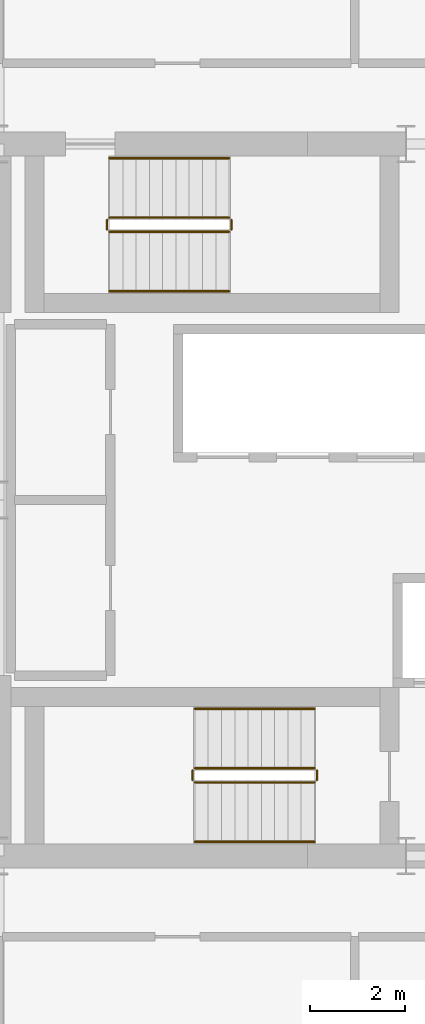
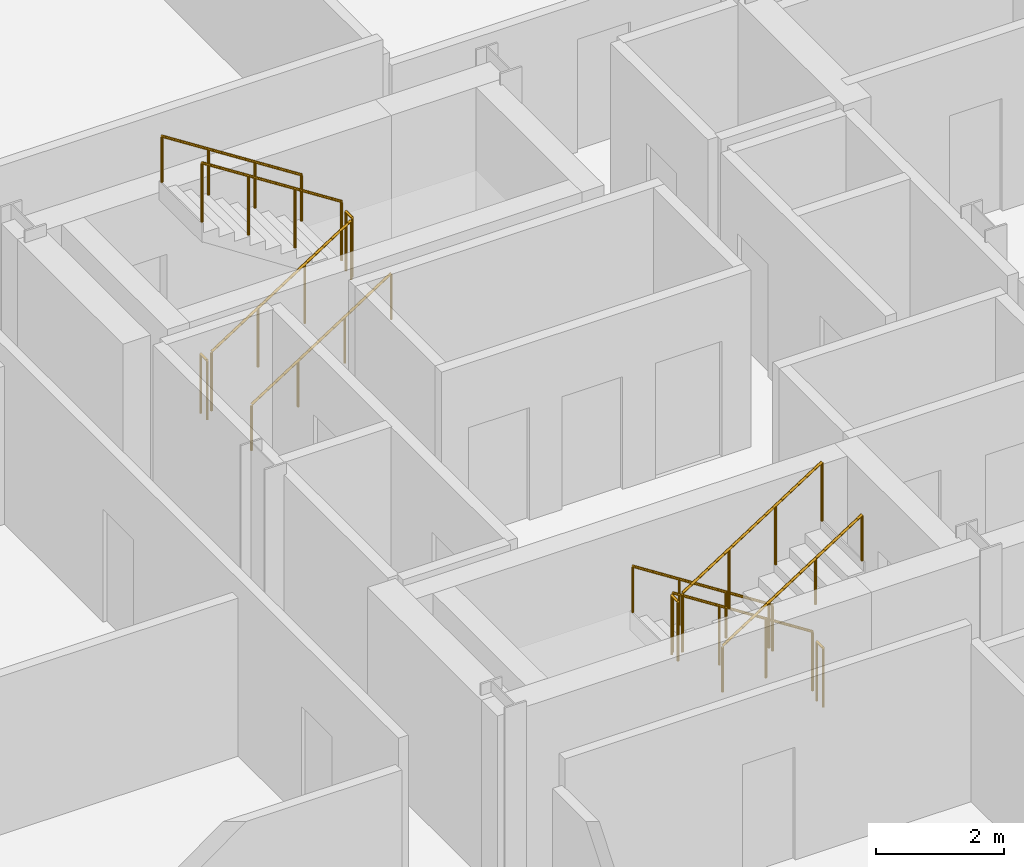
# One storey, part 21 of 22: 12 railings.
"""IFC4 building model written with IfcOpenShell, lengths in metres."""

from ifc_helpers import new_model, si_unit, direction, frame, origin, origin_2d, place, context, subcontext, project, spatial, circle, extrude, material, type_object, element, save


model = new_model("IFC4")

# Units and contexts
model_context = context("Model", 3, precision=1e-05, world=origin(), true_north=direction((0.0, 1.0)))
body_context = subcontext(model_context, "Body", "Model", "MODEL_VIEW")
ifc_project = project(units=[si_unit("LENGTHUNIT", "METRE"), si_unit("AREAUNIT", "SQUARE_METRE"), si_unit("VOLUMEUNIT", "CUBIC_METRE"), si_unit("PLANEANGLEUNIT", "RADIAN"), si_unit("MASSUNIT", "GRAM", prefix="KILO")], contexts=[model_context])

# Site, building, storey
site_placement = place(None, origin())
site = spatial("IfcSite", under=ifc_project, at=site_placement, CompositionType="ELEMENT")
building_placement = place(site_placement, origin())
building = spatial("IfcBuilding", under=site, at=building_placement, Name="Barlavira Tower and Art Museum", CompositionType="ELEMENT")
storey_placement = place(building_placement, frame((0.0, 0.0, 258.300048828125)))
storey = spatial("IfcBuildingStorey", under=building, at=storey_placement, Name="L67", CompositionType="ELEMENT", Elevation=258.300048828125)

# Railings
ifc_material = material(Name="Brushed stainless steel", Category="steel")
railing_type_1 = type_object("IfcRailingType", Name="Interior Void and Landing Guard Railing 1150", PredefinedType="GUARDRAIL", material=ifc_material)
railing_1_placement = place(storey_placement, frame((0.14990234375, -5.64990234375, 0.179931640625)))
element("IfcRailing", 1, at=railing_1_placement, inside=storey, type_object=railing_type_1, Name="L67 ST-T1 stair guard 1", PredefinedType="GUARDRAIL", context=body_context, shape_type="SweptSolid", body=[
    extrude(circle(Radius=0.02392578125, at=origin_2d()), frame((0.0, 0.0, 1.1259765625), z_axis=(-0.841162588446, 0.0, 0.540782303519), x_axis=(0.0, -1.0, 0.0)), (0.0, 0.0, 1.0), 2.995849609375),
    extrude(circle(Radius=0.02099609375, at=origin_2d()), origin(), (0.0, 0.0, 1.0), 1.101806640625),
    extrude(circle(Radius=0.02099609375, at=origin_2d()), frame((-0.840087890625, 0.0, 0.5400390625)), (0.0, 0.0, 1.0), 1.101806640625),
    extrude(circle(Radius=0.02099609375, at=origin_2d()), frame((-1.679931640625, 0.0, 1.080078125)), (0.0, 0.0, 1.0), 1.101806640625),
    extrude(circle(Radius=0.02099609375, at=origin_2d()), frame((-2.52001953125, 0.0, 1.6201171875)), (0.0, 0.0, 1.0), 1.101806640625),
])
railing_2_placement = place(storey_placement, frame((-2.419921875, -5.699951171875, 1.800048828125)))
element("IfcRailing", 2, at=railing_2_placement, inside=storey, type_object=railing_type_1, Name="L67 ST-T1 stair guard 2", PredefinedType="GUARDRAIL", context=body_context, shape_type="SweptSolid", body=[
    extrude(circle(Radius=0.02392578125, at=origin_2d()), frame((0.0, 0.0, 1.1259765625), z_axis=(0.0, -1.0, 0.0), x_axis=(1.0, 0.0, 0.0)), (0.0, 0.0, 1.0), 0.199951171875),
    extrude(circle(Radius=0.02099609375, at=origin_2d()), origin(), (0.0, 0.0, 1.0), 1.101806640625),
    extrude(circle(Radius=0.02099609375, at=origin_2d()), frame((0.0, -0.199951171875, 0.0)), (0.0, 0.0, 1.0), 1.101806640625),
])
railing_3_placement = place(storey_placement, frame((-2.3701171875, -5.949951171875, 1.97998046875)))
element("IfcRailing", 3, at=railing_3_placement, inside=storey, type_object=railing_type_1, Name="L67 ST-T1 stair guard 3", PredefinedType="GUARDRAIL", context=body_context, shape_type="SweptSolid", body=[
    extrude(circle(Radius=0.02392578125, at=origin_2d()), frame((0.0, 0.0, 1.1259765625), z_axis=(0.841199657755, 0.0, 0.540724639528), x_axis=(0.0, 1.0, 0.0)), (0.0, 0.0, 1.0), 2.995849609375),
    extrude(circle(Radius=0.02099609375, at=origin_2d()), origin(), (0.0, 0.0, 1.0), 1.101806640625),
    extrude(circle(Radius=0.02099609375, at=origin_2d()), frame((0.840087890625, 0.0, 0.5400390625)), (0.0, 0.0, 1.0), 1.101806640625),
    extrude(circle(Radius=0.02099609375, at=origin_2d()), frame((1.679931640625, 0.0, 1.079833984375)), (0.0, 0.0, 1.0), 1.101806640625),
    extrude(circle(Radius=0.02099609375, at=origin_2d()), frame((2.52001953125, 0.0, 1.619873046875)), (0.0, 0.0, 1.0), 1.101806640625),
])
railing_4_placement = place(storey_placement, frame((0.199951171875, -5.699951171875, 0.0)))
element("IfcRailing", 4, at=railing_4_placement, inside=storey, type_object=railing_type_1, Name="L67 ST-T1 stair guard 4", PredefinedType="GUARDRAIL", context=body_context, shape_type="SweptSolid", body=[
    extrude(circle(Radius=0.02392578125, at=origin_2d()), frame((0.0, 0.0, 1.1259765625), z_axis=(0.0, -1.0, 0.0), x_axis=(1.0, 0.0, 0.0)), (0.0, 0.0, 1.0), 0.199951171875),
    extrude(circle(Radius=0.02099609375, at=origin_2d()), origin(), (0.0, 0.0, 1.0), 1.101806640625),
    extrude(circle(Radius=0.02099609375, at=origin_2d()), frame((0.0, -0.199951171875, 0.0)), (0.0, 0.0, 1.0), 1.101806640625),
])
railing_5_placement = place(storey_placement, frame((-4.169921875, 5.64990234375, 0.179931640625)))
element("IfcRailing", 5, at=railing_5_placement, inside=storey, type_object=railing_type_1, Name="L67 ST-T2 stair guard 1", PredefinedType="GUARDRAIL", context=body_context, shape_type="SweptSolid", body=[
    extrude(circle(Radius=0.02392578125, at=origin_2d()), frame((0.0, 0.0, 1.1259765625), z_axis=(0.841162588446, 0.0, 0.540782303519), x_axis=(0.0, 1.0, 0.0)), (0.0, 0.0, 1.0), 2.995849609375),
    extrude(circle(Radius=0.02099609375, at=origin_2d()), origin(), (0.0, 0.0, 1.0), 1.101806640625),
    extrude(circle(Radius=0.02099609375, at=origin_2d()), frame((0.840087890625, 0.0, 0.5400390625)), (0.0, 0.0, 1.0), 1.101806640625),
    extrude(circle(Radius=0.02099609375, at=origin_2d()), frame((1.679931640625, 0.0, 1.080078125)), (0.0, 0.0, 1.0), 1.101806640625),
    extrude(circle(Radius=0.02099609375, at=origin_2d()), frame((2.52001953125, 0.0, 1.6201171875)), (0.0, 0.0, 1.0), 1.101806640625),
])
railing_6_placement = place(storey_placement, frame((-1.60009765625, 5.699951171875, 1.800048828125)))
element("IfcRailing", 6, at=railing_6_placement, inside=storey, type_object=railing_type_1, Name="L67 ST-T2 stair guard 2", PredefinedType="GUARDRAIL", context=body_context, shape_type="SweptSolid", body=[
    extrude(circle(Radius=0.02392578125, at=origin_2d()), frame((0.0, 0.0, 1.1259765625), z_axis=(0.0, 1.0, 0.0), x_axis=(-1.0, 0.0, 0.0)), (0.0, 0.0, 1.0), 0.199951171875),
    extrude(circle(Radius=0.02099609375, at=origin_2d()), origin(), (0.0, 0.0, 1.0), 1.101806640625),
    extrude(circle(Radius=0.02099609375, at=origin_2d()), frame((0.0, 0.199951171875, 0.0)), (0.0, 0.0, 1.0), 1.101806640625),
])
railing_7_placement = place(storey_placement, frame((-1.64990234375, 5.949951171875, 1.97998046875)))
element("IfcRailing", 7, at=railing_7_placement, inside=storey, type_object=railing_type_1, Name="L67 ST-T2 stair guard 3", PredefinedType="GUARDRAIL", context=body_context, shape_type="SweptSolid", body=[
    extrude(circle(Radius=0.02392578125, at=origin_2d()), frame((0.0, 0.0, 1.1259765625), z_axis=(-0.841199657755, 0.0, 0.540724639528), x_axis=(0.0, -1.0, 0.0)), (0.0, 0.0, 1.0), 2.995849609375),
    extrude(circle(Radius=0.02099609375, at=origin_2d()), origin(), (0.0, 0.0, 1.0), 1.101806640625),
    extrude(circle(Radius=0.02099609375, at=origin_2d()), frame((-0.840087890625, 0.0, 0.5400390625)), (0.0, 0.0, 1.0), 1.101806640625),
    extrude(circle(Radius=0.02099609375, at=origin_2d()), frame((-1.679931640625, 0.0, 1.079833984375)), (0.0, 0.0, 1.0), 1.101806640625),
    extrude(circle(Radius=0.02099609375, at=origin_2d()), frame((-2.52001953125, 0.0, 1.619873046875)), (0.0, 0.0, 1.0), 1.101806640625),
])
railing_8_placement = place(storey_placement, frame((-4.219970703125, 5.699951171875, 0.0)))
element("IfcRailing", 8, at=railing_8_placement, inside=storey, type_object=railing_type_1, Name="L67 ST-T2 stair guard 4", PredefinedType="GUARDRAIL", context=body_context, shape_type="SweptSolid", body=[
    extrude(circle(Radius=0.02392578125, at=origin_2d()), frame((0.0, 0.0, 1.1259765625), z_axis=(0.0, 1.0, 0.0), x_axis=(-1.0, 0.0, 0.0)), (0.0, 0.0, 1.0), 0.199951171875),
    extrude(circle(Radius=0.02099609375, at=origin_2d()), origin(), (0.0, 0.0, 1.0), 1.101806640625),
    extrude(circle(Radius=0.02099609375, at=origin_2d()), frame((0.0, 0.199951171875, 0.0)), (0.0, 0.0, 1.0), 1.101806640625),
])
railing_type_2 = type_object("IfcRailingType", Name="Stair Pitch Tubular Steel Handrail 920", PredefinedType="HANDRAIL", material=ifc_material)
railing_9_placement = place(storey_placement, frame((0.14990234375, -4.39990234375, 0.179931640625)))
element("IfcRailing", 9, at=railing_9_placement, inside=storey, type_object=railing_type_2, Name="L67 ST-T1 stair handrail 1", PredefinedType="HANDRAIL", context=body_context, shape_type="SweptSolid", body=[
    extrude(circle(Radius=0.02392578125, at=origin_2d()), frame((0.0, 0.0, 0.8759765625), z_axis=(-0.841162588446, 0.0, 0.540782303519), x_axis=(0.0, -1.0, 0.0)), (0.0, 0.0, 1.0), 2.995849609375),
    extrude(circle(Radius=0.02099609375, at=origin_2d()), origin(), (0.0, 0.0, 1.0), 0.851806640625),
    extrude(circle(Radius=0.02099609375, at=origin_2d()), frame((-0.840087890625, 0.0, 0.5400390625)), (0.0, 0.0, 1.0), 0.851806640625),
    extrude(circle(Radius=0.02099609375, at=origin_2d()), frame((-1.679931640625, 0.0, 1.080078125)), (0.0, 0.0, 1.0), 0.851806640625),
    extrude(circle(Radius=0.02099609375, at=origin_2d()), frame((-2.52001953125, 0.0, 1.6201171875)), (0.0, 0.0, 1.0), 0.851806640625),
])
railing_10_placement = place(storey_placement, frame((-2.3701171875, -7.199951171875, 1.97998046875)))
element("IfcRailing", 10, at=railing_10_placement, inside=storey, type_object=railing_type_2, Name="L67 ST-T1 stair handrail 2", PredefinedType="HANDRAIL", context=body_context, shape_type="SweptSolid", body=[
    extrude(circle(Radius=0.02392578125, at=origin_2d()), frame((0.0, 0.0, 0.8759765625), z_axis=(0.841199657755, 0.0, 0.540724639528), x_axis=(0.0, 1.0, 0.0)), (0.0, 0.0, 1.0), 2.995849609375),
    extrude(circle(Radius=0.02099609375, at=origin_2d()), origin(), (0.0, 0.0, 1.0), 0.851806640625),
    extrude(circle(Radius=0.02099609375, at=origin_2d()), frame((0.840087890625, 0.0, 0.5400390625)), (0.0, 0.0, 1.0), 0.851806640625),
    extrude(circle(Radius=0.02099609375, at=origin_2d()), frame((1.679931640625, 0.0, 1.079833984375)), (0.0, 0.0, 1.0), 0.851806640625),
    extrude(circle(Radius=0.02099609375, at=origin_2d()), frame((2.52001953125, 0.0, 1.619873046875)), (0.0, 0.0, 1.0), 0.851806640625),
])
railing_11_placement = place(storey_placement, frame((-4.169921875, 4.39990234375, 0.179931640625)))
element("IfcRailing", 11, at=railing_11_placement, inside=storey, type_object=railing_type_2, Name="L67 ST-T2 stair handrail 1", PredefinedType="HANDRAIL", context=body_context, shape_type="SweptSolid", body=[
    extrude(circle(Radius=0.02392578125, at=origin_2d()), frame((0.0, 0.0, 0.8759765625), z_axis=(0.841162588446, 0.0, 0.540782303519), x_axis=(0.0, 1.0, 0.0)), (0.0, 0.0, 1.0), 2.995849609375),
    extrude(circle(Radius=0.02099609375, at=origin_2d()), origin(), (0.0, 0.0, 1.0), 0.851806640625),
    extrude(circle(Radius=0.02099609375, at=origin_2d()), frame((0.840087890625, 0.0, 0.5400390625)), (0.0, 0.0, 1.0), 0.851806640625),
    extrude(circle(Radius=0.02099609375, at=origin_2d()), frame((1.679931640625, 0.0, 1.080078125)), (0.0, 0.0, 1.0), 0.851806640625),
    extrude(circle(Radius=0.02099609375, at=origin_2d()), frame((2.52001953125, 0.0, 1.6201171875)), (0.0, 0.0, 1.0), 0.851806640625),
])
railing_12_placement = place(storey_placement, frame((-1.64990234375, 7.199951171875, 1.97998046875)))
element("IfcRailing", 12, at=railing_12_placement, inside=storey, type_object=railing_type_2, Name="L67 ST-T2 stair handrail 2", PredefinedType="HANDRAIL", context=body_context, shape_type="SweptSolid", body=[
    extrude(circle(Radius=0.02392578125, at=origin_2d()), frame((0.0, 0.0, 0.8759765625), z_axis=(-0.841199657755, 0.0, 0.540724639528), x_axis=(0.0, -1.0, 0.0)), (0.0, 0.0, 1.0), 2.995849609375),
    extrude(circle(Radius=0.02099609375, at=origin_2d()), origin(), (0.0, 0.0, 1.0), 0.851806640625),
    extrude(circle(Radius=0.02099609375, at=origin_2d()), frame((-0.840087890625, 0.0, 0.5400390625)), (0.0, 0.0, 1.0), 0.851806640625),
    extrude(circle(Radius=0.02099609375, at=origin_2d()), frame((-1.679931640625, 0.0, 1.079833984375)), (0.0, 0.0, 1.0), 0.851806640625),
    extrude(circle(Radius=0.02099609375, at=origin_2d()), frame((-2.52001953125, 0.0, 1.619873046875)), (0.0, 0.0, 1.0), 0.851806640625),
])

save(model, "model.ifc")
